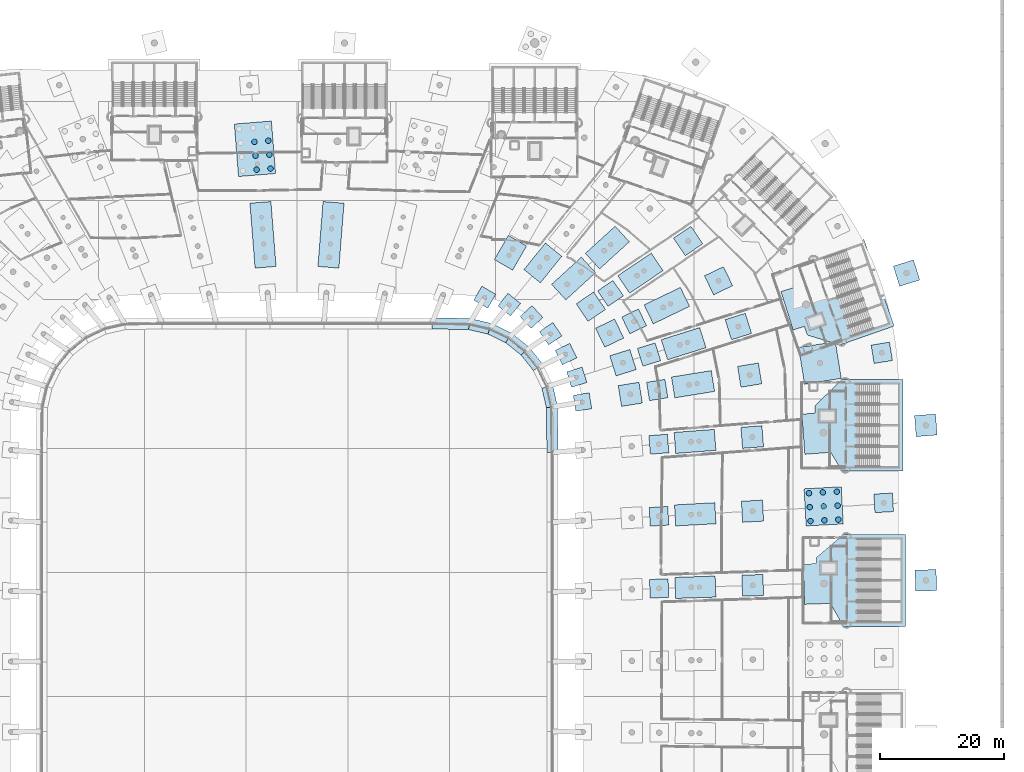
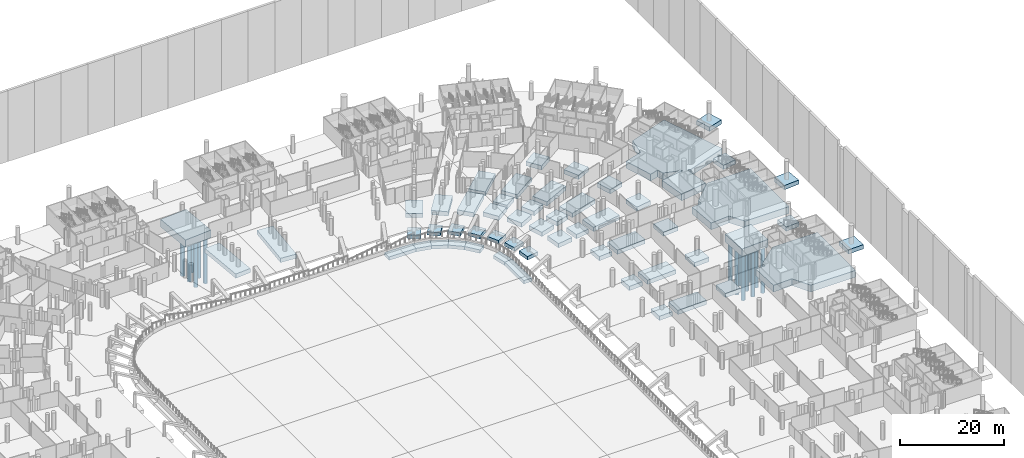
# One storey, part 7 of 142: 55 footings, 15 piles.
"""IFC4 building model written with IfcOpenShell, lengths in metres."""

from ifc_helpers import new_model, si_unit, direction, frame, origin, origin_2d, place, context, subcontext, project, spatial, polyline, circle, outline, extrude, material, material_profile, profile_set, type_object, element, save


model = new_model("IFC4")

# Units and contexts
model_context = context("Model", 3, precision=1e-05, world=origin(), true_north=direction((0.0, 1.0)))
body_context = subcontext(model_context, "Body", "Model", "MODEL_VIEW")
ifc_project = project(units=[si_unit("LENGTHUNIT", "METRE"), si_unit("AREAUNIT", "SQUARE_METRE"), si_unit("VOLUMEUNIT", "CUBIC_METRE"), si_unit("PLANEANGLEUNIT", "RADIAN"), si_unit("MASSUNIT", "GRAM", prefix="KILO")], contexts=[model_context])

# Site, building, storey
site_placement = place(None, origin())
site = spatial("IfcSite", under=ifc_project, at=site_placement, CompositionType="ELEMENT")
building_placement = place(site_placement, origin())
building = spatial("IfcBuilding", under=site, at=building_placement, Name="Meseta Stadium", CompositionType="ELEMENT")
storey_placement = place(building_placement, frame((0.0, 0.0, -4.0)))
storey = spatial("IfcBuildingStorey", under=building, at=storey_placement, Name="B1", CompositionType="ELEMENT", Elevation=-4.0)

# Piles
ifc_material_1 = material(Name="Concrete C30/37", Category="concrete")
ifc_material_profile = material_profile(ifc_material_1, circle(Radius=0.449951171875, at=origin_2d()), Name="D900")
ifc_profile_set = profile_set([ifc_material_profile], Name="Concrete C30/37")
pile_type = type_object("IfcPileType", Name="Bored pile D900 A", PredefinedType="BORED", material=ifc_profile_set)
for number, where, z_axis, x_axis, name in (
    (1, (82.802001953125, 28.31201171875, -2.10009765625), (0.0, 0.0, -1.0), (1.0, 0.0, 0.0), "Bored pile BP9A 07-P-01"),
    (2, (82.6787109375, 30.55859375, -2.10009765625), (0.0, 0.0, -1.0), (1.0, 0.0, 0.0), "Bored pile BP9A 07-P-02"),
    (3, (82.555419921875, 32.80517578125, -2.10009765625), (0.0, 0.0, -1.0), (1.0, 0.0, 0.0), "Bored pile BP9A 07-P-03"),
    (4, (85.048583984375, 28.43505859375, -2.10009765625), (0.0, 0.0, -1.0), (1.0, 0.0, 0.0), "Bored pile BP9A 07-P-04"),
    (5, (84.92529296875, 30.681640625, -2.10009765625), (0.0, 0.0, -1.0), (1.0, 0.0, 0.0), "Bored pile BP9A 07-P-05"),
    (6, (84.80224609375, 32.92822265625, -2.10009765625), (0.0, 0.0, -1.0), (1.0, 0.0, 0.0), "Bored pile BP9A 07-P-06"),
    (7, (87.295166015625, 28.55810546875, -2.10009765625), (0.0, 0.0, -1.0), (1.0, 0.0, 0.0), "Bored pile BP9A 07-P-07"),
    (8, (87.172119140625, 30.804931640625, -2.10009765625), (0.0, 0.0, -1.0), (1.0, 0.0, 0.0), "Bored pile BP9A 07-P-08"),
    (9, (87.048828125, 33.051513671875, -2.10009765625), (0.0, 0.0, -1.0), (1.0, 0.0, 0.0), "Bored pile BP9A 07-P-09"),
    (10, (-4.26708984375, 85.151123046875, -2.10009765625), (0.0, 0.0, -1.0), (1.0, 0.0, 0.0), "Bored pile BP9A 19-EP-01"),
    (11, (-6.510009765625, 84.97314453125, -2.10009765625), (0.0, 0.0, -1.0), (1.0, 0.0, 0.0), "Bored pile BP9A 19-EP-02"),
    (12, (-4.445068359375, 87.39404296875, -2.10009765625), (0.0, 0.0, -1.0), (1.0, 0.0, 0.0), "Bored pile BP9A 19-EP-04"),
    (13, (-6.68798828125, 87.216064453125, -2.10009765625), (0.0, 0.0, -1.0), (1.0, 0.0, 0.0), "Bored pile BP9A 19-EP-05"),
    (14, (-4.623046875, 89.63720703125, -2.10009765625), (0.0, 0.0, -1.0), (1.0, 0.0, 0.0), "Bored pile BP9A 19-EP-07"),
    (15, (-6.8662109375, 89.458984375, -2.10009765625), (0.0, 0.0, -1.0), (1.0, 0.0, 0.0), "Bored pile BP9A 19-EP-08"),
):
    element("IfcPile", number, at=place(storey_placement, frame(where, z_axis=z_axis, x_axis=x_axis)), inside=storey, type_object=pile_type, Name=name, PredefinedType="BORED", context=body_context, shape_type="SweptSolid", body=[
        extrude(circle(Radius=0.449951171875, at=origin_2d()), origin(), (0.0, 0.0, 1.0), 10.89990234375),
    ])

# Footings
ifc_material_2 = material(Name="Concrete C30/37", Category="concrete")
footing_type_1 = type_object("IfcFootingType", Name="Combined footing 10500x3400", PredefinedType="PAD_FOOTING", material=ifc_material_2)
footing_1_placement = place(storey_placement, frame((0.0, 0.0, -1.39990234375)))
element("IfcFooting", 16, at=footing_1_placement, inside=storey, type_object=footing_type_1, Name="Footing F105.34 18-BCDU", PredefinedType="PAD_FOOTING", context=body_context, shape_type="SweptSolid", body=[
    extrude(outline(polyline([(6.760498046875, 69.095947265625), (7.59130859375, 79.56298828125), (4.201904296875, 79.83203125), (3.37109375, 69.364990234375), (6.760498046875, 69.095947265625)])), origin(), (0.0, 0.0, 1.0), 1.0),
])
footing_2_placement = place(storey_placement, frame((0.0, 0.0, -1.39990234375)))
element("IfcFooting", 17, at=footing_2_placement, inside=storey, type_object=footing_type_1, Name="Footing F105.34 19-BCDU", PredefinedType="PAD_FOOTING", context=body_context, shape_type="SweptSolid", body=[
    extrude(outline(polyline([(-3.37109375, 69.364990234375), (-4.201904296875, 79.83203125), (-7.59130859375, 79.56298828125), (-6.760498046875, 69.095947265625), (-3.37109375, 69.364990234375)])), origin(), (0.0, 0.0, 1.0), 1.0),
])
ifc_material_3 = material(Name="Concrete C30/37", Category="concrete")
footing_type_2 = type_object("IfcFootingType", Name="Combined footing 4500x3400", PredefinedType="PAD_FOOTING", material=ifc_material_3)
footing_3_placement = place(storey_placement, frame((0.0, 0.0, -1.39990234375)))
element("IfcFooting", 18, at=footing_3_placement, inside=storey, type_object=footing_type_2, Name="Footing F45.34 15-BU", PredefinedType="PAD_FOOTING", context=body_context, shape_type="SweptSolid", body=[
    extrude(outline(polyline([(34.768798828125, 68.773193359375), (37.020751953125, 72.669189453125), (34.0771484375, 74.37060546875), (31.8251953125, 70.474609375), (34.768798828125, 68.773193359375)])), origin(), (0.0, 0.0, 1.0), 1.0),
])
ifc_material_4 = material(Name="Concrete C30/37", Category="concrete")
footing_type_3 = type_object("IfcFootingType", Name="Combined footing 5500x3400", PredefinedType="PAD_FOOTING", material=ifc_material_4)
footing_4_placement = place(storey_placement, frame((0.0, 0.0, -1.39990234375)))
element("IfcFooting", 19, at=footing_4_placement, inside=storey, type_object=footing_type_3, Name="Footing F55.34 14-BU", PredefinedType="PAD_FOOTING", context=body_context, shape_type="SweptSolid", body=[
    extrude(outline(polyline([(39.24609375, 66.725830078125), (42.700439453125, 71.006103515625), (40.0546875, 73.141357421875), (36.600341796875, 68.861328125), (39.24609375, 66.725830078125)])), origin(), (0.0, 0.0, 1.0), 1.0),
])
ifc_material_5 = material(Name="Concrete C30/37", Category="concrete")
footing_type_4 = type_object("IfcFootingType", Name="Combined footing 6500x3400", PredefinedType="PAD_FOOTING", material=ifc_material_5)
footing_5_placement = place(storey_placement, frame((0.0, 0.0, -1.39990234375)))
element("IfcFooting", 20, at=footing_5_placement, inside=storey, type_object=footing_type_4, Name="Footing F65.34 06-CD", PredefinedType="PAD_FOOTING", context=body_context, shape_type="SweptSolid", body=[
    extrude(outline(polyline([(61.045166015625, 15.83349609375), (67.54150390625, 16.047119140625), (67.4296875, 19.4453125), (60.933349609375, 19.231689453125), (61.045166015625, 15.83349609375)])), origin(), (0.0, 0.0, 1.0), 1.0),
])
footing_6_placement = place(storey_placement, frame((0.0, 0.0, -1.39990234375)))
element("IfcFooting", 21, at=footing_6_placement, inside=storey, type_object=footing_type_4, Name="Footing F65.34 07-CD", PredefinedType="PAD_FOOTING", context=body_context, shape_type="SweptSolid", body=[
    extrude(outline(polyline([(61.06298828125, 27.5224609375), (67.55322265625, 27.878173828125), (67.3671875, 31.273193359375), (60.876953125, 30.917236328125), (61.06298828125, 27.5224609375)])), origin(), (0.0, 0.0, 1.0), 1.0),
])
footing_7_placement = place(storey_placement, frame((0.0, 0.0, -1.39990234375)))
element("IfcFooting", 22, at=footing_7_placement, inside=storey, type_object=footing_type_4, Name="Footing F65.34 08-CD", PredefinedType="PAD_FOOTING", context=body_context, shape_type="SweptSolid", body=[
    extrude(outline(polyline([(61.0712890625, 39.210693359375), (67.552490234375, 39.7080078125), (67.292236328125, 43.097900390625), (60.811279296875, 42.6005859375), (61.0712890625, 39.210693359375)])), origin(), (0.0, 0.0, 1.0), 1.0),
])
footing_8_placement = place(storey_placement, frame((0.0, 0.0, -1.39990234375)))
element("IfcFooting", 23, at=footing_8_placement, inside=storey, type_object=footing_type_4, Name="Footing F65.34 09-CD", PredefinedType="PAD_FOOTING", context=body_context, shape_type="SweptSolid", body=[
    extrude(outline(polyline([(60.92138671875, 48.18115234375), (67.3388671875, 49.21484375), (66.798095703125, 52.571533203125), (60.380859375, 51.5380859375), (60.92138671875, 48.18115234375)])), origin(), (0.0, 0.0, 1.0), 1.0),
])
footing_9_placement = place(storey_placement, frame((0.0, 0.0, -1.39990234375)))
element("IfcFooting", 24, at=footing_9_placement, inside=storey, type_object=footing_type_4, Name="Footing F65.34 10-CD", PredefinedType="PAD_FOOTING", context=body_context, shape_type="SweptSolid", body=[
    extrude(outline(polyline([(59.750732421875, 54.3154296875), (65.953125, 56.260009765625), (64.935791015625, 59.50439453125), (58.733642578125, 57.559814453125), (59.750732421875, 54.3154296875)])), origin(), (0.0, 0.0, 1.0), 1.0),
])
footing_10_placement = place(storey_placement, frame((0.0, 0.0, -1.39990234375)))
element("IfcFooting", 25, at=footing_10_placement, inside=storey, type_object=footing_type_4, Name="Footing F65.34 11-CD", PredefinedType="PAD_FOOTING", context=body_context, shape_type="SweptSolid", body=[
    extrude(outline(polyline([(57.443359375, 60.10791015625), (63.30126953125, 62.925048828125), (61.82763671875, 65.989013671875), (55.969970703125, 63.171875), (57.443359375, 60.10791015625)])), origin(), (0.0, 0.0, 1.0), 1.0),
])
footing_11_placement = place(storey_placement, frame((0.0, 0.0, -1.39990234375)))
element("IfcFooting", 26, at=footing_11_placement, inside=storey, type_object=footing_type_4, Name="Footing F65.34 12-CD", PredefinedType="PAD_FOOTING", context=body_context, shape_type="SweptSolid", body=[
    extrude(outline(polyline([(53.637451171875, 65.052490234375), (59.02490234375, 68.689208984375), (57.12255859375, 71.507080078125), (51.735107421875, 67.870361328125), (53.637451171875, 65.052490234375)])), origin(), (0.0, 0.0, 1.0), 1.0),
])
footing_12_placement = place(storey_placement, frame((0.0, 0.0, -1.39990234375)))
element("IfcFooting", 27, at=footing_12_placement, inside=storey, type_object=footing_type_4, Name="Footing F65.34 13-BU", PredefinedType="PAD_FOOTING", context=body_context, shape_type="SweptSolid", body=[
    extrude(outline(polyline([(43.35009765625, 63.973388671875), (48.14453125, 68.3623046875), (45.848876953125, 70.8701171875), (41.054443359375, 66.481201171875), (43.35009765625, 63.973388671875)])), origin(), (0.0, 0.0, 1.0), 1.0),
])
footing_13_placement = place(storey_placement, frame((0.0, 0.0, -1.39990234375)))
element("IfcFooting", 28, at=footing_13_placement, inside=storey, type_object=footing_type_4, Name="Footing F65.34 13-CD", PredefinedType="PAD_FOOTING", context=body_context, shape_type="SweptSolid", body=[
    extrude(outline(polyline([(48.795654296875, 68.958251953125), (53.590087890625, 73.34716796875), (51.294189453125, 75.85498046875), (46.499755859375, 71.466064453125), (48.795654296875, 68.958251953125)])), origin(), (0.0, 0.0, 1.0), 1.0),
])
ifc_material_6 = material(Name="Concrete C30/37", Category="concrete")
footing_type_5 = type_object("IfcFootingType", Name="Pad footing 2600", PredefinedType="PAD_FOOTING", material=ifc_material_6)
footing_14_placement = place(storey_placement, frame((0.0, 0.0, -1.199951171875)))
element("IfcFooting", 29, at=footing_14_placement, inside=storey, type_object=footing_type_5, Name="Footing F26 09-A", PredefinedType="PAD_FOOTING", context=body_context, shape_type="SweptSolid", body=[
    extrude(outline(polyline([(44.962890625, 46.01611328125), (47.52978515625, 46.429443359375), (47.1162109375, 48.99658203125), (44.54931640625, 48.5830078125), (44.962890625, 46.01611328125)])), origin(), (0.0, 0.0, 1.0), 0.800048828125),
])
footing_15_placement = place(storey_placement, frame((0.0, 0.0, -1.199951171875)))
element("IfcFooting", 30, at=footing_15_placement, inside=storey, type_object=footing_type_5, Name="Footing F26 10-A", PredefinedType="PAD_FOOTING", context=body_context, shape_type="SweptSolid", body=[
    extrude(outline(polyline([(44.2685546875, 49.880615234375), (46.74951171875, 50.658203125), (45.9716796875, 53.139404296875), (43.49072265625, 52.361328125), (44.2685546875, 49.880615234375)])), origin(), (0.0, 0.0, 1.0), 0.800048828125),
])
footing_16_placement = place(storey_placement, frame((0.0, 0.0, -1.199951171875)))
element("IfcFooting", 31, at=footing_16_placement, inside=storey, type_object=footing_type_5, Name="Footing F26 11-A", PredefinedType="PAD_FOOTING", context=body_context, shape_type="SweptSolid", body=[
    extrude(outline(polyline([(42.779052734375, 53.499267578125), (45.1220703125, 54.626220703125), (43.9951171875, 56.96923828125), (41.652099609375, 55.84228515625), (42.779052734375, 53.499267578125)])), origin(), (0.0, 0.0, 1.0), 0.800048828125),
])
footing_17_placement = place(storey_placement, frame((0.0, 0.0, -1.199951171875)))
element("IfcFooting", 32, at=footing_17_placement, inside=storey, type_object=footing_type_5, Name="Footing F26 12-A", PredefinedType="PAD_FOOTING", context=body_context, shape_type="SweptSolid", body=[
    extrude(outline(polyline([(40.56640625, 56.711181640625), (42.72119140625, 58.166015625), (41.2666015625, 60.32080078125), (39.11181640625, 58.8662109375), (40.56640625, 56.711181640625)])), origin(), (0.0, 0.0, 1.0), 0.800048828125),
])
footing_18_placement = place(storey_placement, frame((0.0, 0.0, -1.199951171875)))
element("IfcFooting", 33, at=footing_18_placement, inside=storey, type_object=footing_type_5, Name="Footing F26 13-A", PredefinedType="PAD_FOOTING", context=body_context, shape_type="SweptSolid", body=[
    extrude(outline(polyline([(37.735107421875, 59.37548828125), (39.652587890625, 61.130859375), (37.897216796875, 63.048583984375), (35.9794921875, 61.293212890625), (37.735107421875, 59.37548828125)])), origin(), (0.0, 0.0, 1.0), 0.800048828125),
])
footing_19_placement = place(storey_placement, frame((0.0, 0.0, -1.199951171875)))
element("IfcFooting", 34, at=footing_19_placement, inside=storey, type_object=footing_type_5, Name="Footing F26 14-A", PredefinedType="PAD_FOOTING", context=body_context, shape_type="SweptSolid", body=[
    extrude(outline(polyline([(34.415283203125, 61.376708984375), (36.048095703125, 63.39990234375), (34.02490234375, 65.032958984375), (32.391845703125, 63.009521484375), (34.415283203125, 61.376708984375)])), origin(), (0.0, 0.0, 1.0), 0.800048828125),
])
footing_20_placement = place(storey_placement, frame((0.0, 0.0, -1.199951171875)))
element("IfcFooting", 35, at=footing_20_placement, inside=storey, type_object=footing_type_5, Name="Footing F26 15-A", PredefinedType="PAD_FOOTING", context=body_context, shape_type="SweptSolid", body=[
    extrude(outline(polyline([(30.756591796875, 62.631591796875), (32.057861328125, 64.882568359375), (29.806884765625, 66.183837890625), (28.505615234375, 63.932861328125), (30.756591796875, 62.631591796875)])), origin(), (0.0, 0.0, 1.0), 0.800048828125),
])
ifc_material_7 = material(Name="Concrete C30/37", Category="concrete")
footing_type_6 = type_object("IfcFootingType", Name="Pad footing 3000", PredefinedType="PAD_FOOTING", material=ifc_material_7)
footing_21_placement = place(storey_placement, frame((0.0, 0.0, -1.39990234375)))
element("IfcFooting", 36, at=footing_21_placement, inside=storey, type_object=footing_type_6, Name="Footing F30 06-U", PredefinedType="PAD_FOOTING", context=body_context, shape_type="SweptSolid", body=[
    extrude(outline(polyline([(56.940673828125, 15.898681640625), (59.939208984375, 15.997314453125), (59.840576171875, 18.99560546875), (56.842041015625, 18.89697265625), (56.940673828125, 15.898681640625)])), origin(), (0.0, 0.0, 1.0), 1.0),
])
footing_22_placement = place(storey_placement, frame((0.0, 0.0, -1.39990234375)))
element("IfcFooting", 37, at=footing_22_placement, inside=storey, type_object=footing_type_6, Name="Footing F30 07-R", PredefinedType="PAD_FOOTING", context=body_context, shape_type="SweptSolid", body=[
    extrude(outline(polyline([(93.184326171875, 29.670166015625), (96.179931640625, 29.83447265625), (96.015625, 32.829833984375), (93.02001953125, 32.66552734375), (93.184326171875, 29.670166015625)])), origin(), (0.0, 0.0, 1.0), 1.0),
])
footing_23_placement = place(storey_placement, frame((0.0, 0.0, -1.39990234375)))
element("IfcFooting", 38, at=footing_23_placement, inside=storey, type_object=footing_type_6, Name="Footing F30 07-U", PredefinedType="PAD_FOOTING", context=body_context, shape_type="SweptSolid", body=[
    extrude(outline(polyline([(56.958251953125, 27.497802734375), (59.953857421875, 27.661865234375), (59.78955078125, 30.657470703125), (56.7939453125, 30.4931640625), (56.958251953125, 27.497802734375)])), origin(), (0.0, 0.0, 1.0), 1.0),
])
footing_24_placement = place(storey_placement, frame((0.0, 0.0, -1.39990234375)))
element("IfcFooting", 39, at=footing_24_placement, inside=storey, type_object=footing_type_6, Name="Footing F30 08-U", PredefinedType="PAD_FOOTING", context=body_context, shape_type="SweptSolid", body=[
    extrude(outline(polyline([(56.96826171875, 39.09619140625), (59.95947265625, 39.32568359375), (59.729736328125, 42.31689453125), (56.738525390625, 42.08740234375), (56.96826171875, 39.09619140625)])), origin(), (0.0, 0.0, 1.0), 1.0),
])
footing_25_placement = place(storey_placement, frame((0.0, 0.0, -1.39990234375)))
element("IfcFooting", 40, at=footing_25_placement, inside=storey, type_object=footing_type_6, Name="Footing F30 09-R", PredefinedType="PAD_FOOTING", context=body_context, shape_type="SweptSolid", body=[
    extrude(outline(polyline([(93.052001953125, 53.721923828125), (96.013916015625, 54.19921875), (95.536865234375, 57.160888671875), (92.574951171875, 56.683837890625), (93.052001953125, 53.721923828125)])), origin(), (0.0, 0.0, 1.0), 1.0),
])
footing_26_placement = place(storey_placement, frame((0.0, 0.0, -1.39990234375)))
element("IfcFooting", 41, at=footing_26_placement, inside=storey, type_object=footing_type_6, Name="Footing F30 09-U", PredefinedType="PAD_FOOTING", context=body_context, shape_type="SweptSolid", body=[
    extrude(outline(polyline([(56.841796875, 47.726806640625), (59.8037109375, 48.203857421875), (59.32666015625, 51.16552734375), (56.364990234375, 50.688720703125), (56.841796875, 47.726806640625)])), origin(), (0.0, 0.0, 1.0), 1.0),
])
footing_27_placement = place(storey_placement, frame((0.0, 0.0, -1.39990234375)))
element("IfcFooting", 42, at=footing_27_placement, inside=storey, type_object=footing_type_6, Name="Footing F30 10-U", PredefinedType="PAD_FOOTING", context=body_context, shape_type="SweptSolid", body=[
    extrude(outline(polyline([(55.77880859375, 53.27978515625), (58.641357421875, 54.17724609375), (57.743896484375, 57.039794921875), (54.88134765625, 56.142333984375), (55.77880859375, 53.27978515625)])), origin(), (0.0, 0.0, 1.0), 1.0),
])
footing_28_placement = place(storey_placement, frame((0.0, 0.0, -1.39990234375)))
element("IfcFooting", 43, at=footing_28_placement, inside=storey, type_object=footing_type_6, Name="Footing F30 11-U", PredefinedType="PAD_FOOTING", context=body_context, shape_type="SweptSolid", body=[
    extrude(outline(polyline([(53.66259765625, 58.511474609375), (56.3662109375, 59.811767578125), (55.06591796875, 62.515380859375), (52.3623046875, 61.215087890625), (53.66259765625, 58.511474609375)])), origin(), (0.0, 0.0, 1.0), 1.0),
])
footing_29_placement = place(storey_placement, frame((0.0, 0.0, -1.39990234375)))
element("IfcFooting", 44, at=footing_29_placement, inside=storey, type_object=footing_type_6, Name="Footing F30 12-U", PredefinedType="PAD_FOOTING", context=body_context, shape_type="SweptSolid", body=[
    extrude(outline(polyline([(50.14892578125, 62.938720703125), (52.635498046875, 64.6171875), (50.956787109375, 67.103759765625), (48.470458984375, 65.42529296875), (50.14892578125, 62.938720703125)])), origin(), (0.0, 0.0, 1.0), 1.0),
])
ifc_material_8 = material(Name="Concrete C30/37", Category="concrete")
footing_type_7 = type_object("IfcFootingType", Name="Pad footing 3400", PredefinedType="PAD_FOOTING", material=ifc_material_8)
footing_30_placement = place(storey_placement, frame((0.0, 0.0, -1.39990234375)))
element("IfcFooting", 45, at=footing_30_placement, inside=storey, type_object=footing_type_7, Name="Footing F34 06-E", PredefinedType="PAD_FOOTING", context=body_context, shape_type="SweptSolid", body=[
    extrude(outline(polyline([(71.839111328125, 16.1884765625), (75.2373046875, 16.30029296875), (75.12548828125, 19.698486328125), (71.7275390625, 19.586669921875), (71.839111328125, 16.1884765625)])), origin(), (0.0, 0.0, 1.0), 1.0),
])
footing_31_placement = place(storey_placement, frame((0.0, 0.0, -1.39990234375)))
element("IfcFooting", 46, at=footing_31_placement, inside=storey, type_object=footing_type_7, Name="Footing F34 06-R", PredefinedType="PAD_FOOTING", context=body_context, shape_type="SweptSolid", body=[
    extrude(outline(polyline([(99.7568359375, 16.9951171875), (103.155029296875, 17.106689453125), (103.043212890625, 20.5048828125), (99.64501953125, 20.393310546875), (99.7568359375, 16.9951171875)])), origin(), (0.0, 0.0, 1.0), 1.0),
])
footing_32_placement = place(storey_placement, frame((0.0, 0.0, -1.39990234375)))
element("IfcFooting", 47, at=footing_32_placement, inside=storey, type_object=footing_type_7, Name="Footing F34 07-E", PredefinedType="PAD_FOOTING", context=body_context, shape_type="SweptSolid", body=[
    extrude(outline(polyline([(71.846923828125, 28.113525390625), (75.24169921875, 28.2998046875), (75.0556640625, 31.694580078125), (71.660888671875, 31.508544921875), (71.846923828125, 28.113525390625)])), origin(), (0.0, 0.0, 1.0), 1.0),
])
footing_33_placement = place(storey_placement, frame((0.0, 0.0, -1.39990234375)))
element("IfcFooting", 48, at=footing_33_placement, inside=storey, type_object=footing_type_7, Name="Footing F34 08-E", PredefinedType="PAD_FOOTING", context=body_context, shape_type="SweptSolid", body=[
    extrude(outline(polyline([(71.83984375, 40.037109375), (75.229736328125, 40.29736328125), (74.969482421875, 43.687255859375), (71.57958984375, 43.427001953125), (71.83984375, 40.037109375)])), origin(), (0.0, 0.0, 1.0), 1.0),
])
footing_34_placement = place(storey_placement, frame((0.0, 0.0, -1.39990234375)))
element("IfcFooting", 49, at=footing_34_placement, inside=storey, type_object=footing_type_7, Name="Footing F34 08-R", PredefinedType="PAD_FOOTING", context=body_context, shape_type="SweptSolid", body=[
    extrude(outline(polyline([(99.835205078125, 41.9248046875), (103.22509765625, 42.18505859375), (102.96484375, 45.5751953125), (99.574951171875, 45.31494140625), (99.835205078125, 41.9248046875)])), origin(), (0.0, 0.0, 1.0), 1.0),
])
footing_35_placement = place(storey_placement, frame((0.0, 0.0, -1.39990234375)))
element("IfcFooting", 50, at=footing_35_placement, inside=storey, type_object=footing_type_7, Name="Footing F34 09-B", PredefinedType="PAD_FOOTING", context=body_context, shape_type="SweptSolid", body=[
    extrude(outline(polyline([(52.332275390625, 46.7978515625), (55.68896484375, 47.33837890625), (55.1484375, 50.6953125), (51.79150390625, 50.154541015625), (52.332275390625, 46.7978515625)])), origin(), (0.0, 0.0, 1.0), 1.0),
])
footing_36_placement = place(storey_placement, frame((0.0, 0.0, -1.39990234375)))
element("IfcFooting", 51, at=footing_36_placement, inside=storey, type_object=footing_type_7, Name="Footing F34 09-E", PredefinedType="PAD_FOOTING", context=body_context, shape_type="SweptSolid", body=[
    extrude(outline(polyline([(71.583984375, 49.8984375), (74.94091796875, 50.439208984375), (74.400390625, 53.7958984375), (71.04345703125, 53.255126953125), (71.583984375, 49.8984375)])), origin(), (0.0, 0.0, 1.0), 1.0),
])
footing_37_placement = place(storey_placement, frame((0.0, 0.0, -1.39990234375)))
element("IfcFooting", 52, at=footing_37_placement, inside=storey, type_object=footing_type_7, Name="Footing F34 10-B", PredefinedType="PAD_FOOTING", context=body_context, shape_type="SweptSolid", body=[
    extrude(outline(polyline([(51.44921875, 51.712646484375), (54.693603515625, 52.72998046875), (53.676513671875, 55.97412109375), (50.43212890625, 54.95703125), (51.44921875, 51.712646484375)])), origin(), (0.0, 0.0, 1.0), 1.0),
])
footing_38_placement = place(storey_placement, frame((0.0, 0.0, -1.39990234375)))
element("IfcFooting", 53, at=footing_38_placement, inside=storey, type_object=footing_type_7, Name="Footing F34 10-E", PredefinedType="PAD_FOOTING", context=body_context, shape_type="SweptSolid", body=[
    extrude(outline(polyline([(70.05615234375, 57.54638671875), (73.300537109375, 58.563720703125), (72.283203125, 61.80810546875), (69.0390625, 60.790771484375), (70.05615234375, 57.54638671875)])), origin(), (0.0, 0.0, 1.0), 1.0),
])
footing_39_placement = place(storey_placement, frame((0.0, 0.0, -1.39990234375)))
element("IfcFooting", 54, at=footing_39_placement, inside=storey, type_object=footing_type_7, Name="Footing F34 10-R", PredefinedType="PAD_FOOTING", context=body_context, shape_type="SweptSolid", body=[
    extrude(outline(polyline([(97.177490234375, 66.166748046875), (100.421875, 67.183837890625), (99.40478515625, 70.42822265625), (96.160400390625, 69.410888671875), (97.177490234375, 66.166748046875)])), origin(), (0.0, 0.0, 1.0), 1.0),
])
footing_40_placement = place(storey_placement, frame((0.0, 0.0, -1.39990234375)))
element("IfcFooting", 55, at=footing_40_placement, inside=storey, type_object=footing_type_7, Name="Footing F34 11-B", PredefinedType="PAD_FOOTING", context=body_context, shape_type="SweptSolid", body=[
    extrude(outline(polyline([(49.62109375, 56.345947265625), (52.685302734375, 57.819580078125), (51.211669921875, 60.883544921875), (48.147705078125, 59.409912109375), (49.62109375, 56.345947265625)])), origin(), (0.0, 0.0, 1.0), 1.0),
])
footing_41_placement = place(storey_placement, frame((0.0, 0.0, -1.39990234375)))
element("IfcFooting", 56, at=footing_41_placement, inside=storey, type_object=footing_type_7, Name="Footing F34 11-E", PredefinedType="PAD_FOOTING", context=body_context, shape_type="SweptSolid", body=[
    extrude(outline(polyline([(67.17724609375, 64.7890625), (70.2412109375, 66.2626953125), (68.767578125, 69.32666015625), (65.70361328125, 67.85302734375), (67.17724609375, 64.7890625)])), origin(), (0.0, 0.0, 1.0), 1.0),
])
footing_42_placement = place(storey_placement, frame((0.0, 0.0, -1.39990234375)))
element("IfcFooting", 57, at=footing_42_placement, inside=storey, type_object=footing_type_7, Name="Footing F34 12-B", PredefinedType="PAD_FOOTING", context=body_context, shape_type="SweptSolid", body=[
    extrude(outline(polyline([(46.923583984375, 60.52001953125), (49.741455078125, 62.42236328125), (47.839111328125, 65.240478515625), (45.02099609375, 63.338134765625), (46.923583984375, 60.52001953125)])), origin(), (0.0, 0.0, 1.0), 1.0),
])
footing_43_placement = place(storey_placement, frame((0.0, 0.0, -1.39990234375)))
element("IfcFooting", 58, at=footing_43_placement, inside=storey, type_object=footing_type_7, Name="Footing F34 12-E", PredefinedType="PAD_FOOTING", context=body_context, shape_type="SweptSolid", body=[
    extrude(outline(polyline([(62.6103515625, 71.109619140625), (65.42822265625, 73.011962890625), (63.52587890625, 75.830078125), (60.7080078125, 73.927734375), (62.6103515625, 71.109619140625)])), origin(), (0.0, 0.0, 1.0), 1.0),
])
ifc_material_9 = material(Name="Concrete C30/37", Category="concrete")
footing_type_8 = type_object("IfcFootingType", Name="Pile cap 6000", PredefinedType="PILE_CAP", material=ifc_material_9)
footing_44_placement = place(storey_placement, frame((0.0, 0.0, -2.199951171875)))
element("IfcFooting", 59, at=footing_44_placement, inside=storey, type_object=footing_type_8, Name="Pile cap PC60 07-P", PredefinedType="PILE_CAP", context=body_context, shape_type="SweptSolid", body=[
    extrude(outline(polyline([(82.093994140625, 27.52197265625), (88.085205078125, 27.850341796875), (87.756591796875, 33.84130859375), (81.765625, 33.512939453125), (82.093994140625, 27.52197265625)])), origin(), (0.0, 0.0, 1.0), 1.800048828125),
])
ifc_material_10 = material(Name="Concrete C30/37", Category="concrete")
footing_type_9 = type_object("IfcFootingType", Name="Pile cap 8500x6000", PredefinedType="PILE_CAP", material=ifc_material_10)
footing_45_placement = place(storey_placement, frame((0.0, 0.0, -2.199951171875)))
element("IfcFooting", 60, at=footing_45_placement, inside=storey, type_object=footing_type_9, Name="Pile cap PC85.60 19-EP", PredefinedType="PILE_CAP", context=body_context, shape_type="SweptSolid", body=[
    extrude(outline(polyline([(-3.4501953125, 84.33837890625), (-4.122802734375, 92.8115234375), (-10.10400390625, 92.3369140625), (-9.431396484375, 83.863525390625), (-3.4501953125, 84.33837890625)])), origin(), (0.0, 0.0, 1.0), 1.800048828125),
])
ifc_material_11 = material(Name="Concrete C30/37", Category="concrete")
footing_type_10 = type_object("IfcFootingType", Name="Raft 16300x14800", PredefinedType="PAD_FOOTING", material=ifc_material_11)
footing_46_placement = place(storey_placement, frame((0.0, 0.0, -2.800048828125)))
element("IfcFooting", 61, at=footing_46_placement, inside=storey, type_object=footing_type_10, Name="Footing R163.148 08-CORE", PredefinedType="PAD_FOOTING", context=body_context, shape_type="SweptSolid", body=[
    extrude(outline(polyline([(86.053955078125, 39.391845703125), (87.89990234375, 36.35009765625), (97.699951171875, 36.35009765625), (97.699951171875, 51.14990234375), (87.89990234375, 51.14990234375), (83.5, 46.89990234375), (83.5, 45.71484375), (81.394775390625, 45.55322265625), (81.89208984375, 39.072265625), (86.053955078125, 39.391845703125)])), origin(), (0.0, 0.0, 1.0), 1.60009765625),
])
ifc_material_12 = material(Name="Concrete C30/37", Category="concrete")
footing_type_11 = type_object("IfcFootingType", Name="Raft 16500x14800", PredefinedType="PAD_FOOTING", material=ifc_material_12)
footing_47_placement = place(storey_placement, frame((0.0, 0.0, -2.800048828125)))
element("IfcFooting", 62, at=footing_47_placement, inside=storey, type_object=footing_type_11, Name="Footing R165.148 06-CORE", PredefinedType="PAD_FOOTING", context=body_context, shape_type="SweptSolid", body=[
    extrude(outline(polyline([(86.01318359375, 15.02587890625), (88.10009765625, 11.35009765625), (98.10009765625, 11.35009765625), (98.10009765625, 26.14990234375), (88.10009765625, 26.14990234375), (83.699951171875, 22.39990234375), (83.699951171875, 21.453369140625), (81.62353515625, 21.385009765625), (81.837158203125, 14.888427734375), (86.01318359375, 15.02587890625)])), origin(), (0.0, 0.0, 1.0), 1.60009765625),
])
ifc_material_13 = material(Name="Concrete C30/37", Category="concrete")
footing_type_12 = type_object("IfcFootingType", Name="Raft 20000x16800", PredefinedType="PAD_FOOTING", material=ifc_material_13)
footing_48_placement = place(storey_placement, frame((0.0, 0.0, -2.800048828125)))
element("IfcFooting", 63, at=footing_48_placement, inside=storey, type_object=footing_type_12, Name="Footing R200.168 09-P", PredefinedType="PAD_FOOTING", context=body_context, shape_type="SweptSolid", body=[
    extrude(outline(polyline([(86.8662109375, 56.89111328125), (87.520751953125, 56.688720703125), (96.298828125, 59.760498046875), (91.410888671875, 73.72998046875), (82.6328125, 70.658203125), (81.9990234375, 66.559326171875), (78.04638671875, 65.320068359375), (79.990966796875, 59.117919921875), (81.809814453125, 59.68798828125), (82.294189453125, 58.30322265625), (86.103515625, 57.126708984375), (80.886474609375, 56.286376953125), (81.84033203125, 50.36279296875), (87.76416015625, 51.316650390625), (86.8662109375, 56.89111328125)])), origin(), (0.0, 0.0, 1.0), 1.60009765625),
])
ifc_material_14 = material(Name="Concrete C30/37", Category="concrete")
footing_type_13 = type_object("IfcFootingType", Name="Strip footing 1800", PredefinedType="STRIP_FOOTING", material=ifc_material_14)
footing_49_placement = place(storey_placement, frame((0.0, 0.0, -1.199951171875)))
element("IfcFooting", 64, at=footing_49_placement, inside=storey, type_object=footing_type_13, Name="Strip footing pitch wall bay 09", PredefinedType="STRIP_FOOTING", context=body_context, shape_type="SweptSolid", body=[
    extrude(outline(polyline([(42.099365234375, 39.396240234375), (42.001708984375, 46.818603515625), (40.20458984375, 46.60400390625), (40.29931640625, 39.384521484375), (42.099365234375, 39.396240234375)])), origin(), (0.0, 0.0, 1.0), 0.800048828125),
])
footing_50_placement = place(storey_placement, frame((0.0, 0.0, -1.199951171875)))
element("IfcFooting", 65, at=footing_50_placement, inside=storey, type_object=footing_type_13, Name="Strip footing pitch wall bay 10", PredefinedType="STRIP_FOOTING", context=body_context, shape_type="SweptSolid", body=[
    extrude(outline(polyline([(42.001708984375, 46.818603515625), (41.2041015625, 50.31298828125), (39.494140625, 49.715087890625), (40.20458984375, 46.60400390625), (42.001708984375, 46.818603515625)])), origin(), (0.0, 0.0, 1.0), 0.800048828125),
])
footing_51_placement = place(storey_placement, frame((0.0, 0.0, -1.199951171875)))
element("IfcFooting", 66, at=footing_51_placement, inside=storey, type_object=footing_type_13, Name="Strip footing pitch wall bay 12", PredefinedType="STRIP_FOOTING", context=body_context, shape_type="SweptSolid", body=[
    extrude(outline(polyline([(39.6484375, 53.54833984375), (37.413818359375, 56.35791015625), (36.130859375, 55.0791015625), (38.11376953125, 52.586181640625), (39.6484375, 53.54833984375)])), origin(), (0.0, 0.0, 1.0), 0.800048828125),
])
footing_52_placement = place(storey_placement, frame((0.0, 0.0, -1.199951171875)))
element("IfcFooting", 67, at=footing_52_placement, inside=storey, type_object=footing_type_13, Name="Strip footing pitch wall bay 13", PredefinedType="STRIP_FOOTING", context=body_context, shape_type="SweptSolid", body=[
    extrude(outline(polyline([(37.413818359375, 56.35791015625), (34.611572265625, 58.6015625), (33.644287109375, 57.0703125), (36.130859375, 55.0791015625), (37.413818359375, 56.35791015625)])), origin(), (0.0, 0.0, 1.0), 0.800048828125),
])
footing_53_placement = place(storey_placement, frame((0.0, 0.0, -1.199951171875)))
element("IfcFooting", 68, at=footing_53_placement, inside=storey, type_object=footing_type_13, Name="Strip footing pitch wall bay 14", PredefinedType="STRIP_FOOTING", context=body_context, shape_type="SweptSolid", body=[
    extrude(outline(polyline([(34.611572265625, 58.6015625), (31.381591796875, 60.167724609375), (30.778076171875, 58.4599609375), (33.644287109375, 57.0703125), (34.611572265625, 58.6015625)])), origin(), (0.0, 0.0, 1.0), 0.800048828125),
])
footing_54_placement = place(storey_placement, frame((0.0, 0.0, -1.199951171875)))
element("IfcFooting", 69, at=footing_54_placement, inside=storey, type_object=footing_type_13, Name="Strip footing pitch wall bay 15", PredefinedType="STRIP_FOOTING", context=body_context, shape_type="SweptSolid", body=[
    extrude(outline(polyline([(31.381591796875, 60.167724609375), (27.890380859375, 60.97705078125), (27.668701171875, 59.1806640625), (30.778076171875, 58.4599609375), (31.381591796875, 60.167724609375)])), origin(), (0.0, 0.0, 1.0), 0.800048828125),
])
footing_55_placement = place(storey_placement, frame((0.0, 0.0, -1.199951171875)))
element("IfcFooting", 70, at=footing_55_placement, inside=storey, type_object=footing_type_13, Name="Strip footing pitch wall bay 16", PredefinedType="STRIP_FOOTING", context=body_context, shape_type="SweptSolid", body=[
    extrude(outline(polyline([(27.890380859375, 60.97705078125), (21.748779296875, 61.0859375), (21.73193359375, 59.285888671875), (27.668701171875, 59.1806640625), (27.890380859375, 60.97705078125)])), origin(), (0.0, 0.0, 1.0), 0.800048828125),
])

save(model, "model.ifc")
